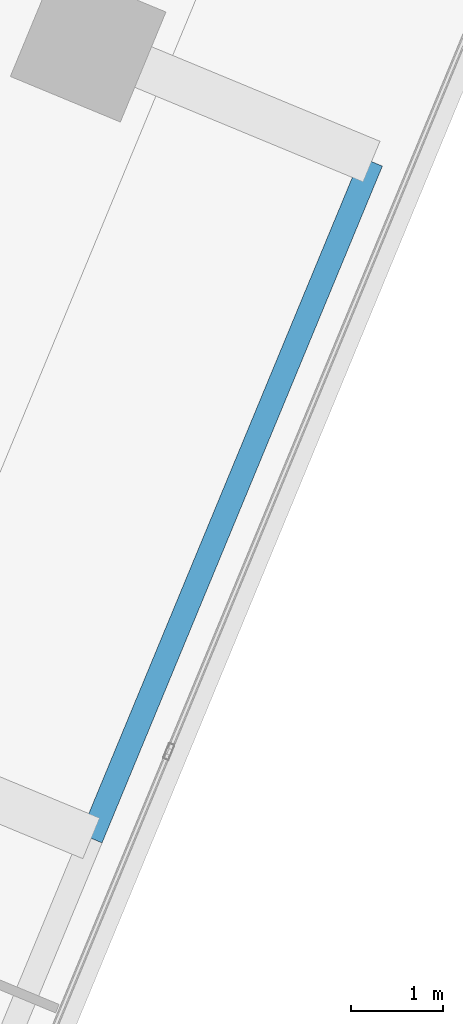
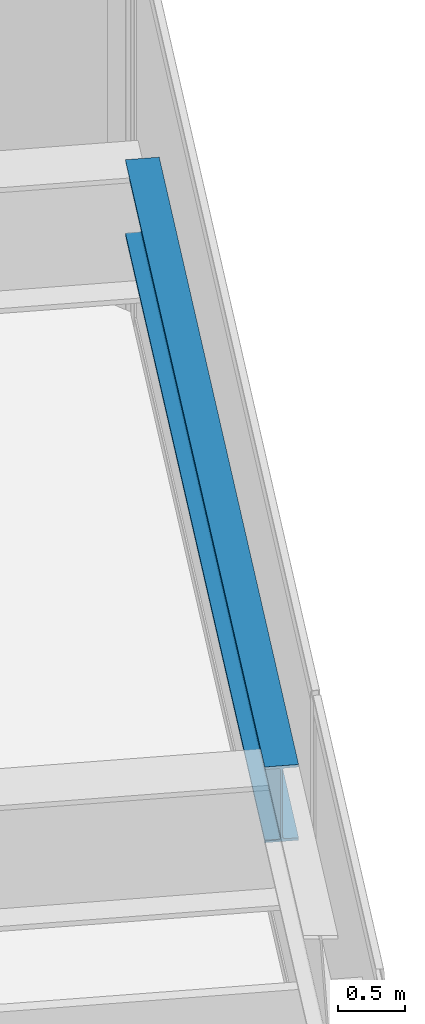
# One storey, part 9 of 24: 1 beam.
"""IFC4 building model written with IfcOpenShell, lengths in metres."""

from ifc_helpers import new_model, si_unit, direction, frame, origin, origin_2d, place, context, subcontext, project, spatial, i_section, extrude, source, transform, mapped, material, material_profile, profile_set, type_object, element, save


model = new_model("IFC4")

# Units and contexts
model_context = context("Model", 3, precision=1e-05, world=origin(), true_north=direction((0.0, 1.0)))
body_context = subcontext(model_context, "Body", "Model", "MODEL_VIEW")
ifc_project = project(units=[si_unit("LENGTHUNIT", "METRE"), si_unit("AREAUNIT", "SQUARE_METRE"), si_unit("VOLUMEUNIT", "CUBIC_METRE"), si_unit("PLANEANGLEUNIT", "RADIAN"), si_unit("MASSUNIT", "GRAM", prefix="KILO")], contexts=[model_context])

# Site, building, storey
site_placement = place(None, origin())
site = spatial("IfcSite", under=ifc_project, at=site_placement, CompositionType="ELEMENT")
building_placement = place(site_placement, origin())
building = spatial("IfcBuilding", under=site, at=building_placement, Name="Torre Montelarca", CompositionType="ELEMENT")
storey_placement = place(building_placement, frame((0.0, 0.0, 141.39990234375)))
storey = spatial("IfcBuildingStorey", under=building, at=storey_placement, Name="L31", CompositionType="ELEMENT", Elevation=141.39990234375)

# Beam
ifc_material = material(Name="Steel ASTM A992 Grade 50", Category="steel")
ifc_material_profile = material_profile(ifc_material, i_section(OverallWidth=0.256103515625, OverallDepth=0.693115234375, WebThickness=0.014404296875, FlangeThickness=0.023681640625, FilletRadius=0.01806640625, at=origin_2d()), Name="W690X170", Category="steel")
ifc_profile_set = profile_set([ifc_material_profile], Name="Steel ASTM A992 Grade 50")
beam_type = type_object("IfcBeamType", Name="BM-G-W690-EXT", PredefinedType="BEAM", material=ifc_profile_set)
shared_shape = source(origin(), body_context, "Body", "SweptSolid", [
    extrude(i_section(OverallWidth=0.256103515625, OverallDepth=0.693115234375, WebThickness=0.014404296875, FlangeThickness=0.023681640625, FilletRadius=0.01806640625, at=origin_2d()), origin(), (0.0, 0.0, 1.0), 8.0),
])
beam_placement = place(storey_placement, frame((49.077880859375, 20.576904296875, 3.614013671875), z_axis=(0.382686001036, 0.923878468529, 0.0), x_axis=(-0.923878468529, 0.382686001036, 0.0)))
element("IfcBeam", 1, at=beam_placement, inside=storey, type_object=beam_type, Name="L31 Sliding Tray Edge Girder East 32-40m (FLR)", PredefinedType="BEAM", context=body_context, shape_type="MappedRepresentation", body=[
    mapped(shared_shape, transform((0.0, 0.0, 0.0), scale=1.0)),
])

save(model, "model.ifc")
